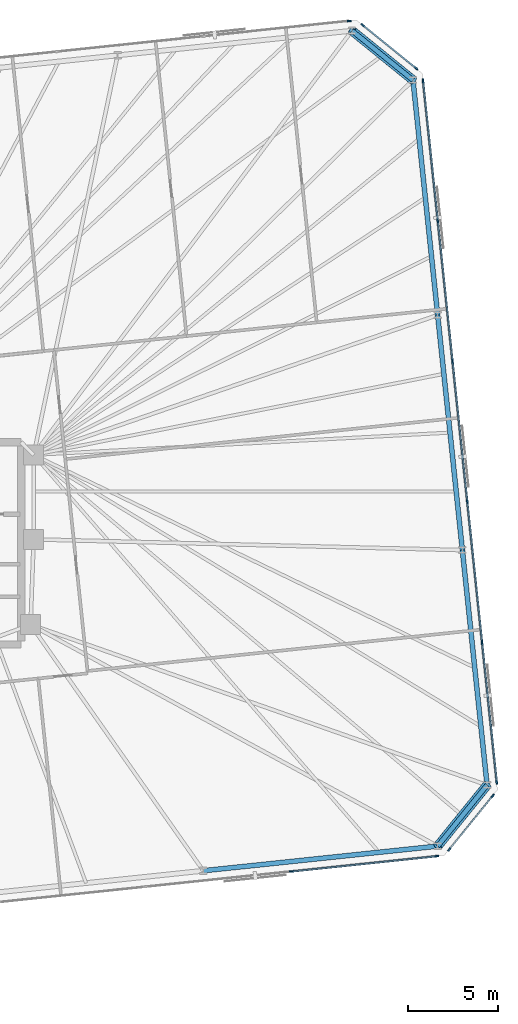
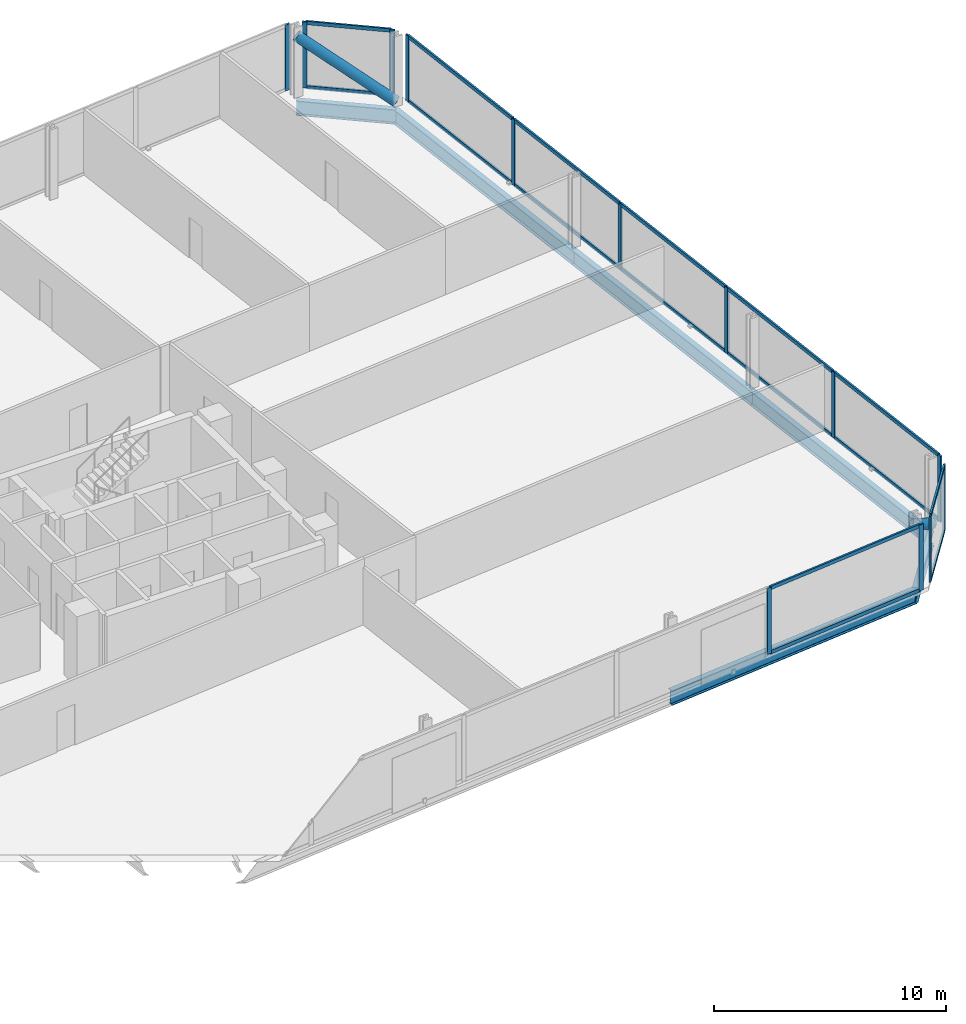
# One storey, part 12 of 18: 31 members, 6 beams, 5 elements without a shape of their own.
"""IFC4 building model written with IfcOpenShell, lengths in metres."""

from ifc_helpers import new_model, si_unit, direction, frame, origin, origin_2d, place, context, subcontext, project, spatial, rectangle, hollow_circle, i_section, extrude, material, material_profile, profile_set, type_object, element, aggregate, save


model = new_model("IFC4")

# Units and contexts
model_context = context("Model", 3, precision=1e-05, world=origin(), true_north=direction((0.0, 1.0)))
body_context = subcontext(model_context, "Body", "Model", "MODEL_VIEW")
ifc_project = project(units=[si_unit("LENGTHUNIT", "METRE"), si_unit("AREAUNIT", "SQUARE_METRE"), si_unit("VOLUMEUNIT", "CUBIC_METRE"), si_unit("PLANEANGLEUNIT", "RADIAN"), si_unit("MASSUNIT", "GRAM", prefix="KILO")], contexts=[model_context])

# Site, building, storey
site_placement = place(None, origin())
site = spatial("IfcSite", under=ifc_project, at=site_placement, CompositionType="ELEMENT")
building_placement = place(site_placement, origin())
building = spatial("IfcBuilding", under=site, at=building_placement, Name="Menara Jurai Vektor", CompositionType="ELEMENT")
storey_placement = place(building_placement, frame((0.0, 0.0, 105.89990234375)))
storey = spatial("IfcBuildingStorey", under=building, at=storey_placement, Name="L26", CompositionType="ELEMENT", Elevation=105.89990234375)

# Curtain wall, members
ifc_material_1 = material(Name="Anodised Pale Aluminium & Low-E Double Glazing", Category="aluminium")
curtain_wall_type = type_object("IfcCurtainWallType", Name="CW-BLK2", PredefinedType="NOTDEFINED", material=ifc_material_1)
curtain_wall_1_placement = place(storey_placement, origin())
curtain_wall_1 = element("IfcCurtainWall", 1, at=curtain_wall_1_placement, inside=storey, type_object=curtain_wall_type, Name="Unitised Curtain Wall L26 F01", PredefinedType="NOTDEFINED")
ifc_material_2 = material(Name="Anodised Pale Aluminium Mullion", Category="aluminium")
ifc_material_profile_1 = material_profile(ifc_material_2, rectangle(XDim=0.090087890625, YDim=0.219970703125, at=origin_2d()), Name="ALU MUL 90x220")
ifc_profile_set_1 = profile_set([ifc_material_profile_1], Name="Anodised Pale Aluminium Mullion")
member_type_1 = type_object("IfcMemberType", Name="CW-BLK2-MUL", PredefinedType="MULLION", material=ifc_profile_set_1)
member_1_placement = place(storey_placement, frame((29.52392578125, -18.169189453125, 0.0), z_axis=(0.0, 0.0, 1.0), x_axis=(-0.104528634935, 0.994521877325, 0.0)))
member_1 = element("IfcMember", 2, at=member_1_placement, type_object=member_type_1, Name="CW-02 mullion 8", PredefinedType="MULLION", context=body_context, shape_type="SweptSolid", body=[
    extrude(rectangle(XDim=0.090087890625, YDim=0.219970703125, at=origin_2d()), origin(), (0.0, 0.0, 1.0), 3.47509765625),
])
member_2_placement = place(storey_placement, frame((37.5771484375, -17.32275390625, 0.0), z_axis=(0.0, 0.0, 1.0), x_axis=(-0.104528634935, 0.994521877325, 0.0)))
member_2 = element("IfcMember", 3, at=member_2_placement, type_object=member_type_1, Name="CW-02 mullion 9", PredefinedType="MULLION", context=body_context, shape_type="SweptSolid", body=[
    extrude(rectangle(XDim=0.090087890625, YDim=0.219970703125, at=origin_2d()), origin(), (0.0, 0.0, 1.0), 3.47509765625),
])

curtain_wall_2_placement = place(storey_placement, origin())
curtain_wall_2 = element("IfcCurtainWall", 4, at=curtain_wall_2_placement, inside=storey, type_object=curtain_wall_type, Name="Unitised Curtain Wall L26 F02", PredefinedType="NOTDEFINED")
member_3_placement = place(storey_placement, frame((38.267333984375, -16.9482421875, 0.0), z_axis=(0.0, 0.0, 1.0), x_axis=(-0.777129222223, 0.62934106172, 0.0)))
member_3 = element("IfcMember", 5, at=member_3_placement, type_object=member_type_1, Name="CW-02 mullion 1", PredefinedType="MULLION", context=body_context, shape_type="SweptSolid", body=[
    extrude(rectangle(XDim=0.090087890625, YDim=0.219970703125, at=origin_2d()), origin(), (0.0, 0.0, 1.0), 3.47509765625),
])
member_4_placement = place(storey_placement, frame((40.66943359375, -13.98193359375, 0.0), z_axis=(0.0, 0.0, 1.0), x_axis=(-0.777129222223, 0.62934106172, 0.0)))
member_4 = element("IfcMember", 6, at=member_4_placement, type_object=member_type_1, Name="CW-02 mullion 2", PredefinedType="MULLION", context=body_context, shape_type="SweptSolid", body=[
    extrude(rectangle(XDim=0.090087890625, YDim=0.219970703125, at=origin_2d()), origin(), (0.0, 0.0, 1.0), 3.47509765625),
])

curtain_wall_3_placement = place(storey_placement, origin())
curtain_wall_3 = element("IfcCurtainWall", 7, at=curtain_wall_3_placement, inside=storey, type_object=curtain_wall_type, Name="Unitised Curtain Wall L26 F03", PredefinedType="NOTDEFINED")
member_5_placement = place(storey_placement, frame((40.892333984375, -13.22900390625, 0.0), z_axis=(0.0, 0.0, 1.0), x_axis=(-0.99452177832, -0.104529576902, 0.0)))
member_5 = element("IfcMember", 8, at=member_5_placement, type_object=member_type_1, Name="CW-02 mullion 1", PredefinedType="MULLION", context=body_context, shape_type="SweptSolid", body=[
    extrude(rectangle(XDim=0.090087890625, YDim=0.219970703125, at=origin_2d()), origin(), (0.0, 0.0, 1.0), 3.47509765625),
])
member_6_placement = place(storey_placement, frame((40.078857421875, -5.488525390625, 0.0), z_axis=(0.0, 0.0, 1.0), x_axis=(-0.99452177832, -0.104529576902, 0.0)))
member_6 = element("IfcMember", 9, at=member_6_placement, type_object=member_type_1, Name="CW-02 mullion 2", PredefinedType="MULLION", context=body_context, shape_type="SweptSolid", body=[
    extrude(rectangle(XDim=0.090087890625, YDim=0.219970703125, at=origin_2d()), origin(), (0.0, 0.0, 1.0), 3.47509765625),
])
member_7_placement = place(storey_placement, frame((39.260498046875, 2.296630859375, 0.0), z_axis=(0.0, 0.0, 1.0), x_axis=(-0.99452177832, -0.104529576902, 0.0)))
member_7 = element("IfcMember", 10, at=member_7_placement, type_object=member_type_1, Name="CW-02 mullion 3", PredefinedType="MULLION", context=body_context, shape_type="SweptSolid", body=[
    extrude(rectangle(XDim=0.090087890625, YDim=0.219970703125, at=origin_2d()), origin(), (0.0, 0.0, 1.0), 3.47509765625),
])
member_8_placement = place(storey_placement, frame((38.4423828125, 10.081787109375, 0.0), z_axis=(0.0, 0.0, 1.0), x_axis=(-0.99452177832, -0.104529576902, 0.0)))
member_8 = element("IfcMember", 11, at=member_8_placement, type_object=member_type_1, Name="CW-02 mullion 4", PredefinedType="MULLION", context=body_context, shape_type="SweptSolid", body=[
    extrude(rectangle(XDim=0.090087890625, YDim=0.219970703125, at=origin_2d()), origin(), (0.0, 0.0, 1.0), 3.47509765625),
])
member_9_placement = place(storey_placement, frame((37.6240234375, 17.866943359375, 0.0), z_axis=(0.0, 0.0, 1.0), x_axis=(-0.99452177832, -0.104529576902, 0.0)))
member_9 = element("IfcMember", 12, at=member_9_placement, type_object=member_type_1, Name="CW-02 mullion 5", PredefinedType="MULLION", context=body_context, shape_type="SweptSolid", body=[
    extrude(rectangle(XDim=0.090087890625, YDim=0.219970703125, at=origin_2d()), origin(), (0.0, 0.0, 1.0), 3.47509765625),
])
member_10_placement = place(storey_placement, frame((36.810546875, 25.607177734375, 0.0), z_axis=(0.0, 0.0, 1.0), x_axis=(-0.99452177832, -0.104529576902, 0.0)))
member_10 = element("IfcMember", 13, at=member_10_placement, type_object=member_type_1, Name="CW-02 mullion 6", PredefinedType="MULLION", context=body_context, shape_type="SweptSolid", body=[
    extrude(rectangle(XDim=0.090087890625, YDim=0.219970703125, at=origin_2d()), origin(), (0.0, 0.0, 1.0), 3.47509765625),
])

curtain_wall_4_placement = place(storey_placement, origin())
curtain_wall_4 = element("IfcCurtainWall", 14, at=curtain_wall_4_placement, inside=storey, type_object=curtain_wall_type, Name="Unitised Curtain Wall L26 F04", PredefinedType="NOTDEFINED")
member_11_placement = place(storey_placement, frame((36.435791015625, 26.29736328125, 0.0), z_axis=(0.0, 0.0, 1.0), x_axis=(-0.629313085353, -0.777151877437, 0.0)))
member_11 = element("IfcMember", 15, at=member_11_placement, type_object=member_type_1, Name="CW-02 mullion 1", PredefinedType="MULLION", context=body_context, shape_type="SweptSolid", body=[
    extrude(rectangle(XDim=0.090087890625, YDim=0.219970703125, at=origin_2d()), origin(), (0.0, 0.0, 1.0), 3.47509765625),
])
member_12_placement = place(storey_placement, frame((33.469482421875, 28.699462890625, 0.0), z_axis=(0.0, 0.0, 1.0), x_axis=(-0.629313085353, -0.777151877437, 0.0)))
member_12 = element("IfcMember", 16, at=member_12_placement, type_object=member_type_1, Name="CW-02 mullion 2", PredefinedType="MULLION", context=body_context, shape_type="SweptSolid", body=[
    extrude(rectangle(XDim=0.090087890625, YDim=0.219970703125, at=origin_2d()), origin(), (0.0, 0.0, 1.0), 3.47509765625),
])

# Curtain wall, member
curtain_wall_5_placement = place(storey_placement, origin())
curtain_wall_5 = element("IfcCurtainWall", 17, at=curtain_wall_5_placement, inside=storey, type_object=curtain_wall_type, Name="Unitised Curtain Wall L26 F05", PredefinedType="NOTDEFINED")
member_13_placement = place(storey_placement, frame((32.716552734375, 28.92236328125, 0.0), z_axis=(0.0, 0.0, 1.0), x_axis=(0.104528634935, -0.994521877325, 0.0)))
member_13 = element("IfcMember", 18, at=member_13_placement, type_object=member_type_1, Name="CW-02 mullion 1", PredefinedType="MULLION", context=body_context, shape_type="SweptSolid", body=[
    extrude(rectangle(XDim=0.090087890625, YDim=0.219970703125, at=origin_2d()), origin(), (0.0, 0.0, 1.0), 3.47509765625),
])
aggregate(curtain_wall_5, [member_13])

# Member
ifc_material_3 = material(Name="Anodised Pale Aluminium Transom", Category="aluminium")
ifc_material_profile_2 = material_profile(ifc_material_3, rectangle(XDim=0.090087890625, YDim=0.18505859375, at=origin_2d()), Name="ALU TRN 90x185")
ifc_profile_set_2 = profile_set([ifc_material_profile_2], Name="Anodised Pale Aluminium Transom")
member_type_2 = type_object("IfcMemberType", Name="CW-BLK2-TRN", PredefinedType="USERDEFINED", material=ifc_profile_set_2)
member_14_placement = place(storey_placement, frame((29.56884765625, -18.16455078125, 0.045166015625), z_axis=(0.994519977808, 0.104546706027, 0.0), x_axis=(-0.104546706027, 0.994519977808, 0.0)))
member_14 = element("IfcMember", 19, at=member_14_placement, type_object=member_type_2, Name="CW-02 transom 8.1", ObjectType="TRANSOM", PredefinedType="USERDEFINED", context=body_context, shape_type="SweptSolid", body=[
    extrude(rectangle(XDim=0.090087890625, YDim=0.18505859375, at=origin_2d()), origin(), (0.0, 0.0, 1.0), 8.007568359375),
])

member_15_placement = place(storey_placement, frame((29.56884765625, -18.16455078125, 3.43017578125), z_axis=(0.994519977808, 0.104546706027, 0.0), x_axis=(-0.104546706027, 0.994519977808, 0.0)))
member_15 = element("IfcMember", 20, at=member_15_placement, type_object=member_type_2, Name="CW-02 transom 8.2", ObjectType="TRANSOM", PredefinedType="USERDEFINED", context=body_context, shape_type="SweptSolid", body=[
    extrude(rectangle(XDim=0.090087890625, YDim=0.18505859375, at=origin_2d()), origin(), (0.0, 0.0, 1.0), 8.007568359375),
])

aggregate(curtain_wall_1, [member_1, member_2, member_14, member_15])

member_16_placement = place(storey_placement, frame((38.295654296875, -16.9130859375, 0.045166015625), z_axis=(0.6293414396, 0.777128916205, 0.0), x_axis=(-0.777128916205, 0.6293414396, 0.0)))
member_16 = element("IfcMember", 21, at=member_16_placement, type_object=member_type_2, Name="CW-02 transom 1.1", ObjectType="TRANSOM", PredefinedType="USERDEFINED", context=body_context, shape_type="SweptSolid", body=[
    extrude(rectangle(XDim=0.090087890625, YDim=0.18505859375, at=origin_2d()), origin(), (0.0, 0.0, 1.0), 3.726806640625),
])

member_17_placement = place(storey_placement, frame((38.295654296875, -16.9130859375, 3.43017578125), z_axis=(0.6293414396, 0.777128916205, 0.0), x_axis=(-0.777128916205, 0.6293414396, 0.0)))
member_17 = element("IfcMember", 22, at=member_17_placement, type_object=member_type_2, Name="CW-02 transom 1.2", ObjectType="TRANSOM", PredefinedType="USERDEFINED", context=body_context, shape_type="SweptSolid", body=[
    extrude(rectangle(XDim=0.090087890625, YDim=0.18505859375, at=origin_2d()), origin(), (0.0, 0.0, 1.0), 3.726806640625),
])

aggregate(curtain_wall_2, [member_3, member_4, member_16, member_17])

member_18_placement = place(storey_placement, frame((40.8876953125, -13.18408203125, 0.045166015625), z_axis=(-0.104536105602, 0.994521092097, 0.0), x_axis=(-0.994521092097, -0.104536105602, 0.0)))
member_18 = element("IfcMember", 23, at=member_18_placement, type_object=member_type_2, Name="CW-02 transom 1.1", ObjectType="TRANSOM", PredefinedType="USERDEFINED", context=body_context, shape_type="SweptSolid", body=[
    extrude(rectangle(XDim=0.090087890625, YDim=0.18505859375, at=origin_2d()), origin(), (0.0, 0.0, 1.0), 7.693115234375),
])

member_19_placement = place(storey_placement, frame((40.8876953125, -13.18408203125, 3.43017578125), z_axis=(-0.104536105602, 0.994521092097, 0.0), x_axis=(-0.994521092097, -0.104536105602, 0.0)))
member_19 = element("IfcMember", 24, at=member_19_placement, type_object=member_type_2, Name="CW-02 transom 1.2", ObjectType="TRANSOM", PredefinedType="USERDEFINED", context=body_context, shape_type="SweptSolid", body=[
    extrude(rectangle(XDim=0.090087890625, YDim=0.18505859375, at=origin_2d()), origin(), (0.0, 0.0, 1.0), 7.693115234375),
])

member_20_placement = place(storey_placement, frame((40.07421875, -5.44384765625, 0.045166015625), z_axis=(-0.104528756613, 0.994521864536, 0.0), x_axis=(-0.994521864536, -0.104528756613, 0.0)))
member_20 = element("IfcMember", 25, at=member_20_placement, type_object=member_type_2, Name="CW-02 transom 2.1", ObjectType="TRANSOM", PredefinedType="USERDEFINED", context=body_context, shape_type="SweptSolid", body=[
    extrude(rectangle(XDim=0.090087890625, YDim=0.18505859375, at=origin_2d()), origin(), (0.0, 0.0, 1.0), 7.738037109375),
])

member_21_placement = place(storey_placement, frame((40.07421875, -5.44384765625, 3.43017578125), z_axis=(-0.104528756613, 0.994521864536, 0.0), x_axis=(-0.994521864536, -0.104528756613, 0.0)))
member_21 = element("IfcMember", 26, at=member_21_placement, type_object=member_type_2, Name="CW-02 transom 2.2", ObjectType="TRANSOM", PredefinedType="USERDEFINED", context=body_context, shape_type="SweptSolid", body=[
    extrude(rectangle(XDim=0.090087890625, YDim=0.18505859375, at=origin_2d()), origin(), (0.0, 0.0, 1.0), 7.738037109375),
])

member_22_placement = place(storey_placement, frame((39.255859375, 2.34130859375, 0.045166015625), z_axis=(-0.104528756613, 0.994521864536, 0.0), x_axis=(-0.994521864536, -0.104528756613, 0.0)))
member_22 = element("IfcMember", 27, at=member_22_placement, type_object=member_type_2, Name="CW-02 transom 3.1", ObjectType="TRANSOM", PredefinedType="USERDEFINED", context=body_context, shape_type="SweptSolid", body=[
    extrude(rectangle(XDim=0.090087890625, YDim=0.18505859375, at=origin_2d()), origin(), (0.0, 0.0, 1.0), 7.738037109375),
])

member_23_placement = place(storey_placement, frame((39.255859375, 2.34130859375, 3.43017578125), z_axis=(-0.104528756613, 0.994521864536, 0.0), x_axis=(-0.994521864536, -0.104528756613, 0.0)))
member_23 = element("IfcMember", 28, at=member_23_placement, type_object=member_type_2, Name="CW-02 transom 3.2", ObjectType="TRANSOM", PredefinedType="USERDEFINED", context=body_context, shape_type="SweptSolid", body=[
    extrude(rectangle(XDim=0.090087890625, YDim=0.18505859375, at=origin_2d()), origin(), (0.0, 0.0, 1.0), 7.738037109375),
])

member_24_placement = place(storey_placement, frame((38.4375, 10.12646484375, 0.045166015625), z_axis=(-0.104528756613, 0.994521864536, 0.0), x_axis=(-0.994521864536, -0.104528756613, 0.0)))
member_24 = element("IfcMember", 29, at=member_24_placement, type_object=member_type_2, Name="CW-02 transom 4.1", ObjectType="TRANSOM", PredefinedType="USERDEFINED", context=body_context, shape_type="SweptSolid", body=[
    extrude(rectangle(XDim=0.090087890625, YDim=0.18505859375, at=origin_2d()), origin(), (0.0, 0.0, 1.0), 7.738037109375),
])

member_25_placement = place(storey_placement, frame((38.4375, 10.12646484375, 3.43017578125), z_axis=(-0.104528756613, 0.994521864536, 0.0), x_axis=(-0.994521864536, -0.104528756613, 0.0)))
member_25 = element("IfcMember", 30, at=member_25_placement, type_object=member_type_2, Name="CW-02 transom 4.2", ObjectType="TRANSOM", PredefinedType="USERDEFINED", context=body_context, shape_type="SweptSolid", body=[
    extrude(rectangle(XDim=0.090087890625, YDim=0.18505859375, at=origin_2d()), origin(), (0.0, 0.0, 1.0), 7.738037109375),
])

member_26_placement = place(storey_placement, frame((37.619384765625, 17.91162109375, 0.045166015625), z_axis=(-0.104536105602, 0.994521092097, 0.0), x_axis=(-0.994521092097, -0.104536105602, 0.0)))
member_26 = element("IfcMember", 31, at=member_26_placement, type_object=member_type_2, Name="CW-02 transom 5.1", ObjectType="TRANSOM", PredefinedType="USERDEFINED", context=body_context, shape_type="SweptSolid", body=[
    extrude(rectangle(XDim=0.090087890625, YDim=0.18505859375, at=origin_2d()), origin(), (0.0, 0.0, 1.0), 7.693115234375),
])

member_27_placement = place(storey_placement, frame((37.619384765625, 17.91162109375, 3.43017578125), z_axis=(-0.104536105602, 0.994521092097, 0.0), x_axis=(-0.994521092097, -0.104536105602, 0.0)))
member_27 = element("IfcMember", 32, at=member_27_placement, type_object=member_type_2, Name="CW-02 transom 5.2", ObjectType="TRANSOM", PredefinedType="USERDEFINED", context=body_context, shape_type="SweptSolid", body=[
    extrude(rectangle(XDim=0.090087890625, YDim=0.18505859375, at=origin_2d()), origin(), (0.0, 0.0, 1.0), 7.693115234375),
])

aggregate(curtain_wall_3, [member_5, member_6, member_7, member_8, member_9, member_10, member_18, member_19, member_20, member_21, member_22, member_23, member_24, member_25, member_26, member_27])

member_28_placement = place(storey_placement, frame((36.40087890625, 26.32568359375, 0.045166015625), z_axis=(-0.77715486027, 0.629309401772, 0.0), x_axis=(-0.629309401772, -0.77715486027, 0.0)))
member_28 = element("IfcMember", 33, at=member_28_placement, type_object=member_type_2, Name="CW-02 transom 1.1", ObjectType="TRANSOM", PredefinedType="USERDEFINED", context=body_context, shape_type="SweptSolid", body=[
    extrude(rectangle(XDim=0.090087890625, YDim=0.18505859375, at=origin_2d()), origin(), (0.0, 0.0, 1.0), 3.72705078125),
])

member_29_placement = place(storey_placement, frame((36.40087890625, 26.32568359375, 3.43017578125), z_axis=(-0.77715486027, 0.629309401772, 0.0), x_axis=(-0.629309401772, -0.77715486027, 0.0)))
member_29 = element("IfcMember", 34, at=member_29_placement, type_object=member_type_2, Name="CW-02 transom 1.2", ObjectType="TRANSOM", PredefinedType="USERDEFINED", context=body_context, shape_type="SweptSolid", body=[
    extrude(rectangle(XDim=0.090087890625, YDim=0.18505859375, at=origin_2d()), origin(), (0.0, 0.0, 1.0), 3.72705078125),
])

aggregate(curtain_wall_4, [member_11, member_12, member_28, member_29])

# Members
ifc_material_4 = material(Name="Steel S460", Category="steel")
ifc_material_profile_3 = material_profile(ifc_material_4, hollow_circle(Radius=0.25390625, WallThickness=0.02001953125, at=origin_2d()), Name="CHS 508x20")
ifc_profile_set_3 = profile_set([ifc_material_profile_3], Name="Steel S460")
member_type_3 = type_object("IfcMemberType", Name="STR-BR-508", PredefinedType="BRACE", material=ifc_profile_set_3)
for number, where, z_axis, x_axis, name in (
    (35, (40.356201171875, -13.388671875, 0.150146484375), (-0.51928532157, -0.641224642617, 0.564954611011), (0.777127086072, -0.629343699494, 0.0), "Exoskeleton Corner Brace L26-1"),
    (36, (36.252685546875, 25.65185546875, 0.150146484375), (-0.641224642617, 0.51928532157, 0.564954611011), (-0.629343699494, -0.777127086072, 0.0), "Exoskeleton Corner Brace L26-2"),
):
    element("IfcMember", number, at=place(storey_placement, frame(where, z_axis=z_axis, x_axis=x_axis)), inside=storey, type_object=member_type_3, Name=name, PredefinedType="BRACE", context=body_context, shape_type="SweptSolid", body=[
        extrude(hollow_circle(Radius=0.25390625, WallThickness=0.02001953125, at=origin_2d()), origin(), (0.0, 0.0, 1.0), 5.265625),
    ])

# Beams
ifc_material_profile_4 = material_profile(ifc_material_4, i_section(OverallWidth=0.26806640625, OverallDepth=0.77001953125, WebThickness=0.01611328125, FlangeThickness=0.02490234375, FilletRadius=0.01708984375, at=origin_2d()), Name="UKB 762x267x197")
ifc_profile_set_4 = profile_set([ifc_material_profile_4], Name="Steel S460")
beam_type = type_object("IfcBeamType", Name="STR-SP-762", PredefinedType="SPANDREL", material=ifc_profile_set_4)
beam_1_placement = place(storey_placement, frame((24.64208984375, -18.12939453125, -0.60986328125), z_axis=(0.994521636083, 0.104530930169, 0.0), x_axis=(-0.104530930169, 0.994521636083, 0.0)))
element("IfcBeam", 37, at=beam_1_placement, inside=storey, type_object=beam_type, Name="Exoskeleton Spandrel Beam L26-05", PredefinedType="SPANDREL", context=body_context, shape_type="SweptSolid", body=[
    extrude(i_section(OverallWidth=0.26806640625, OverallDepth=0.77001953125, WebThickness=0.01611328125, FlangeThickness=0.02490234375, FilletRadius=0.01708984375, at=origin_2d()), origin(), (0.0, 0.0, 1.0), 13.05126953125),
])
beam_2_placement = place(storey_placement, frame((37.621826171875, -16.76513671875, -0.60986328125), z_axis=(0.629343699494, 0.777127086072, 0.0), x_axis=(-0.777127086072, 0.629343699494, 0.0)))
element("IfcBeam", 38, at=beam_2_placement, inside=storey, type_object=beam_type, Name="Exoskeleton Spandrel Beam L26-06", PredefinedType="SPANDREL", context=body_context, shape_type="SweptSolid", body=[
    extrude(i_section(OverallWidth=0.26806640625, OverallDepth=0.77001953125, WebThickness=0.01611328125, FlangeThickness=0.02490234375, FilletRadius=0.01708984375, at=origin_2d()), origin(), (0.0, 0.0, 1.0), 4.3447265625),
])
beam_3_placement = place(storey_placement, frame((40.356201171875, -13.388671875, -0.60986328125), z_axis=(-0.104538130097, 0.994520879296, 0.0), x_axis=(-0.994520879296, -0.104538130097, 0.0)))
element("IfcBeam", 39, at=beam_3_placement, inside=storey, type_object=beam_type, Name="Exoskeleton Spandrel Beam L26-07", PredefinedType="SPANDREL", context=body_context, shape_type="SweptSolid", body=[
    extrude(i_section(OverallWidth=0.26806640625, OverallDepth=0.77001953125, WebThickness=0.01611328125, FlangeThickness=0.02490234375, FilletRadius=0.01708984375, at=origin_2d()), origin(), (0.0, 0.0, 1.0), 13.08544921875),
])
beam_4_placement = place(storey_placement, frame((38.98828125, -0.375, -0.60986328125), z_axis=(-0.104521615846, 0.994522615037, 0.0), x_axis=(-0.994522615037, -0.104521615846, 0.0)))
element("IfcBeam", 40, at=beam_4_placement, inside=storey, type_object=beam_type, Name="Exoskeleton Spandrel Beam L26-08", PredefinedType="SPANDREL", context=body_context, shape_type="SweptSolid", body=[
    extrude(i_section(OverallWidth=0.26806640625, OverallDepth=0.77001953125, WebThickness=0.01611328125, FlangeThickness=0.02490234375, FilletRadius=0.01708984375, at=origin_2d()), origin(), (0.0, 0.0, 1.0), 13.085205078125),
])
beam_5_placement = place(storey_placement, frame((37.62060546875, 12.638427734375, -0.60986328125), z_axis=(-0.104538130097, 0.994520879296, 0.0), x_axis=(-0.994520879296, -0.104538130097, 0.0)))
element("IfcBeam", 41, at=beam_5_placement, inside=storey, type_object=beam_type, Name="Exoskeleton Spandrel Beam L26-09", PredefinedType="SPANDREL", context=body_context, shape_type="SweptSolid", body=[
    extrude(i_section(OverallWidth=0.26806640625, OverallDepth=0.77001953125, WebThickness=0.01611328125, FlangeThickness=0.02490234375, FilletRadius=0.01708984375, at=origin_2d()), origin(), (0.0, 0.0, 1.0), 13.08544921875),
])
beam_6_placement = place(storey_placement, frame((36.252685546875, 25.652099609375, -0.60986328125), z_axis=(-0.777154568396, 0.629309762217, 0.0), x_axis=(-0.629309762217, -0.777154568396, 0.0)))
element("IfcBeam", 42, at=beam_6_placement, inside=storey, type_object=beam_type, Name="Exoskeleton Spandrel Beam L26-10", PredefinedType="SPANDREL", context=body_context, shape_type="SweptSolid", body=[
    extrude(i_section(OverallWidth=0.26806640625, OverallDepth=0.77001953125, WebThickness=0.01611328125, FlangeThickness=0.02490234375, FilletRadius=0.01708984375, at=origin_2d()), origin(), (0.0, 0.0, 1.0), 4.3447265625),
])

save(model, "model.ifc")
